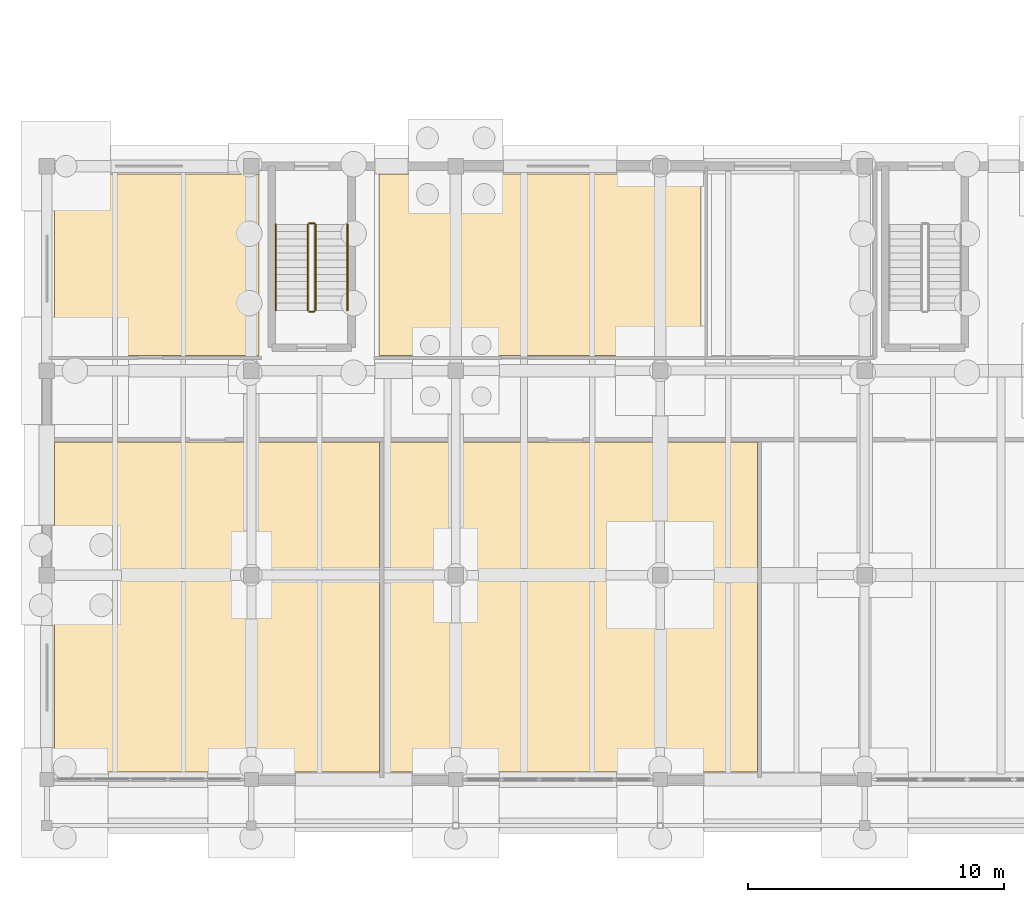
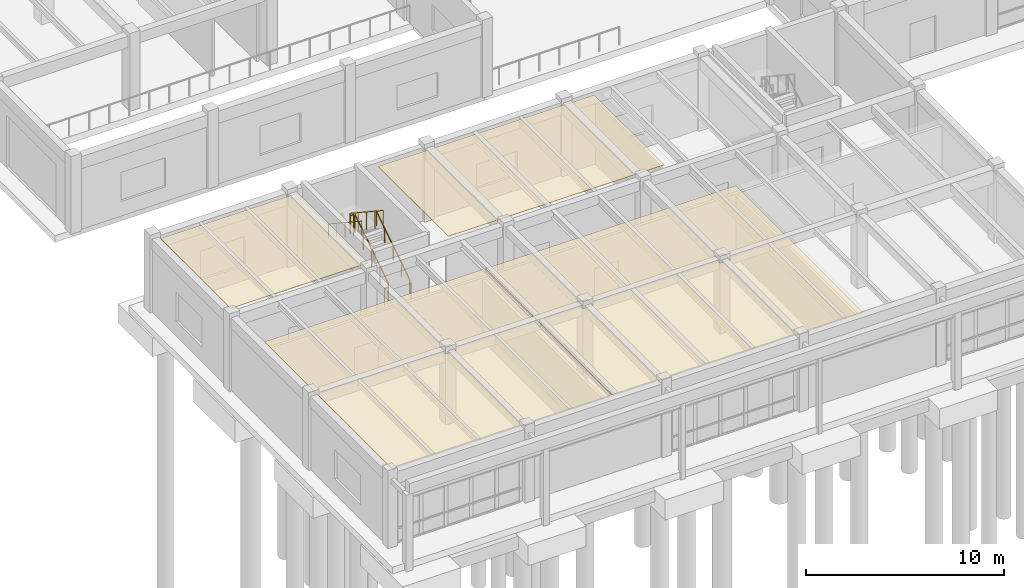
# One storey, part 47 of 64: 6 railings, 4 coverings.
"""IFC4 building model written with IfcOpenShell, lengths in metres."""

from ifc_helpers import new_model, si_unit, direction, frame, origin, origin_2d, place, context, subcontext, project, spatial, polyline, circle, outline, extrude, material, layer, layer_set, type_object, element, save


model = new_model("IFC4")

# Units and contexts
model_context = context("Model", 3, precision=1e-05, world=origin(), true_north=direction((0.0, 1.0)))
body_context = subcontext(model_context, "Body", "Model", "MODEL_VIEW")
ifc_project = project(units=[si_unit("LENGTHUNIT", "METRE"), si_unit("AREAUNIT", "SQUARE_METRE"), si_unit("VOLUMEUNIT", "CUBIC_METRE"), si_unit("PLANEANGLEUNIT", "RADIAN"), si_unit("MASSUNIT", "GRAM", prefix="KILO")], contexts=[model_context])

# Site, building, storey
site_placement = place(None, origin())
site = spatial("IfcSite", under=ifc_project, at=site_placement, CompositionType="ELEMENT")
building_placement = place(site_placement, origin())
building = spatial("IfcBuilding", under=site, at=building_placement, Name="Tlaxcora Railside Police Headquarters", CompositionType="ELEMENT")
storey_placement = place(building_placement, origin())
storey = spatial("IfcBuildingStorey", under=building, at=storey_placement, Name="L00", CompositionType="ELEMENT", Elevation=0.0)

# Coverings
ifc_material_1 = material(Name="Mineral-fibre acoustic ceiling tile")
ifc_layer = layer(ifc_material_1, 0.034912109375, Name="Mineral-fibre acoustic ceiling tile")
ifc_layer_set = layer_set([ifc_layer], Name="Mineral-fibre acoustic ceiling tile")
covering_type = type_object("IfcCoveringType", Name="Acoustic Suspended Ceiling CLG-01", PredefinedType="CEILING", material=ifc_layer_set)
covering_1_placement = place(storey_placement, frame((0.0, 0.0, 4.364990234375)))
element("IfcCovering", 1, at=covering_1_placement, inside=storey, type_object=covering_type, Name="Public Cafe and Dining Terrace Hall suspended ceiling", PredefinedType="CEILING", context=body_context, shape_type="SweptSolid", body=[
    extrude(outline(polyline([(5.5, 19.68994140625), (5.5, 12.300048828125), (18.22509765625, 12.300048828125), (18.22509765625, 25.199951171875), (5.5, 25.199951171875), (5.5, 20.31005859375), (5.510009765625, 20.31005859375), (5.510009765625, 19.68994140625), (5.5, 19.68994140625)]), holes=[polyline([(13.510009765625, 19.68994140625), (12.889892578125, 19.68994140625), (12.889892578125, 20.31005859375), (13.510009765625, 20.31005859375), (13.510009765625, 19.68994140625)])]), origin(), (0.0, 0.0, 1.0), 0.034912109375),
])
covering_2_placement = place(storey_placement, frame((0.0, 0.0, 4.364990234375)))
element("IfcCovering", 2, at=covering_2_placement, inside=storey, type_object=covering_type, Name="Media and Press Briefing Hall suspended ceiling", PredefinedType="CEILING", context=body_context, shape_type="SweptSolid", body=[
    extrude(outline(polyline([(18.385009765625, 25.199951171875), (18.385009765625, 12.300048828125), (33.0, 12.300048828125), (33.0, 25.199951171875), (18.385009765625, 25.199951171875)]), holes=[polyline([(21.510009765625, 20.31005859375), (21.510009765625, 19.68994140625), (20.889892578125, 19.68994140625), (20.889892578125, 20.31005859375), (21.510009765625, 20.31005859375)]), polyline([(29.510009765625, 19.68994140625), (28.889892578125, 19.68994140625), (28.889892578125, 20.31005859375), (29.510009765625, 20.31005859375), (29.510009765625, 19.68994140625)])]), origin(), (0.0, 0.0, 1.0), 0.034912109375),
])
covering_3_placement = place(storey_placement, frame((0.0, 0.0, 4.364990234375)))
element("IfcCovering", 3, at=covering_3_placement, inside=storey, type_object=covering_type, Name="Community Policing Consultation Suite suspended ceiling", PredefinedType="CEILING", context=body_context, shape_type="SweptSolid", body=[
    extrude(outline(polyline([(5.5, 35.68994140625), (5.5, 28.60009765625), (13.5, 28.60009765625), (13.5, 35.68994140625), (12.889892578125, 35.68994140625), (12.889892578125, 35.699951171875), (5.510009765625, 35.699951171875), (5.510009765625, 35.68994140625), (5.5, 35.68994140625)])), origin(), (0.0, 0.0, 1.0), 0.034912109375),
])
covering_4_placement = place(storey_placement, frame((0.0, 0.0, 4.364990234375)))
element("IfcCovering", 4, at=covering_4_placement, inside=storey, type_object=covering_type, Name="Victim and Family Support Suite suspended ceiling", PredefinedType="CEILING", context=body_context, shape_type="SweptSolid", body=[
    extrude(outline(polyline([(18.199951171875, 35.699951171875), (18.199951171875, 28.60009765625), (30.800048828125, 28.60009765625), (30.800048828125, 35.699951171875), (29.510009765625, 35.699951171875), (29.510009765625, 35.68994140625), (28.889892578125, 35.68994140625), (28.889892578125, 35.699951171875), (21.510009765625, 35.699951171875), (21.510009765625, 35.68994140625), (20.889892578125, 35.68994140625), (20.889892578125, 35.699951171875), (18.199951171875, 35.699951171875)])), origin(), (0.0, 0.0, 1.0), 0.034912109375),
])

# Railings
ifc_material_2 = material(Name="Steel ASTM A992 Grade 50", Category="steel")
railing_type_1 = type_object("IfcRailingType", Name="Stair Well Guard Balustrade GR-02", PredefinedType="BALUSTRADE", material=ifc_material_2)
railing_1_placement = place(storey_placement, frame((15.7099609375, 30.360107421875, 0.1845703125)))
element("IfcRailing", 5, at=railing_1_placement, inside=storey, type_object=railing_type_1, Name="L00 ST6 stair guard 1", PredefinedType="BALUSTRADE", context=body_context, shape_type="SweptSolid", body=[
    extrude(circle(Radius=0.02392578125, at=origin_2d()), frame((0.0, 0.0, 1.09619140625), z_axis=(0.0, 0.834858096282, 0.550465220583), x_axis=(-1.0, 0.0, 0.0)), (0.0, 0.0, 1.0), 4.0244140625),
    extrude(circle(Radius=0.02099609375, at=origin_2d()), origin(), (0.0, 0.0, 1.0), 1.072021484375),
    extrude(circle(Radius=0.02099609375, at=origin_2d()), frame((0.0, 0.83984375, 0.5537109375)), (0.0, 0.0, 1.0), 1.072021484375),
    extrude(circle(Radius=0.02099609375, at=origin_2d()), frame((0.0, 1.679931640625, 1.107666015625)), (0.0, 0.0, 1.0), 1.072021484375),
    extrude(circle(Radius=0.02099609375, at=origin_2d()), frame((0.0, 2.52001953125, 1.66162109375)), (0.0, 0.0, 1.0), 1.072021484375),
    extrude(circle(Radius=0.02099609375, at=origin_2d()), frame((0.0, 3.35986328125, 2.21533203125)), (0.0, 0.0, 1.0), 1.072021484375),
])
railing_2_placement = place(storey_placement, frame((15.659912109375, 33.77001953125, 2.39990234375)))
element("IfcRailing", 6, at=railing_2_placement, inside=storey, type_object=railing_type_1, Name="L00 ST6 stair guard 2", PredefinedType="BALUSTRADE", context=body_context, shape_type="SweptSolid", body=[
    extrude(circle(Radius=0.02392578125, at=origin_2d()), frame((0.0, 0.0, 1.09619140625), z_axis=(-1.0, 0.0, 0.0), x_axis=(0.0, -1.0, 0.0)), (0.0, 0.0, 1.0), 0.199951171875),
    extrude(circle(Radius=0.02099609375, at=origin_2d()), origin(), (0.0, 0.0, 1.0), 1.072021484375),
    extrude(circle(Radius=0.02099609375, at=origin_2d()), frame((-0.199951171875, 0.0, 0.0)), (0.0, 0.0, 1.0), 1.072021484375),
])
railing_3_placement = place(storey_placement, frame((15.409912109375, 33.719970703125, 2.584716796875)))
element("IfcRailing", 7, at=railing_3_placement, inside=storey, type_object=railing_type_1, Name="L00 ST6 stair guard 3", PredefinedType="BALUSTRADE", context=body_context, shape_type="SweptSolid", body=[
    extrude(circle(Radius=0.02392578125, at=origin_2d()), frame((0.0, 0.0, 1.09619140625), z_axis=(0.0, -0.834858096282, 0.550465220583), x_axis=(1.0, 0.0, 0.0)), (0.0, 0.0, 1.0), 4.0244140625),
    extrude(circle(Radius=0.02099609375, at=origin_2d()), origin(), (0.0, 0.0, 1.0), 1.072021484375),
    extrude(circle(Radius=0.02099609375, at=origin_2d()), frame((0.0, -0.83984375, 0.5537109375)), (0.0, 0.0, 1.0), 1.072021484375),
    extrude(circle(Radius=0.02099609375, at=origin_2d()), frame((0.0, -1.679931640625, 1.107666015625)), (0.0, 0.0, 1.0), 1.072021484375),
    extrude(circle(Radius=0.02099609375, at=origin_2d()), frame((0.0, -2.52001953125, 1.66162109375)), (0.0, 0.0, 1.0), 1.072021484375),
    extrude(circle(Radius=0.02099609375, at=origin_2d()), frame((0.0, -3.35986328125, 2.21533203125)), (0.0, 0.0, 1.0), 1.072021484375),
])
railing_4_placement = place(storey_placement, frame((15.659912109375, 30.31005859375, 0.0)))
element("IfcRailing", 8, at=railing_4_placement, inside=storey, type_object=railing_type_1, Name="L00 ST6 stair guard 4", PredefinedType="BALUSTRADE", context=body_context, shape_type="SweptSolid", body=[
    extrude(circle(Radius=0.02392578125, at=origin_2d()), frame((0.0, 0.0, 1.09619140625), z_axis=(-1.0, 0.0, 0.0), x_axis=(0.0, -1.0, 0.0)), (0.0, 0.0, 1.0), 0.199951171875),
    extrude(circle(Radius=0.02099609375, at=origin_2d()), origin(), (0.0, 0.0, 1.0), 1.072021484375),
    extrude(circle(Radius=0.02099609375, at=origin_2d()), frame((-0.199951171875, 0.0, 0.0)), (0.0, 0.0, 1.0), 1.072021484375),
])
railing_type_2 = type_object("IfcRailingType", Name="Stair and Ramp Handrail HR-01", PredefinedType="HANDRAIL", material=ifc_material_2)
railing_5_placement = place(storey_placement, frame((16.9599609375, 30.360107421875, 0.1845703125)))
element("IfcRailing", 9, at=railing_5_placement, inside=storey, type_object=railing_type_2, Name="L00 ST6 stair handrail 1", PredefinedType="HANDRAIL", context=body_context, shape_type="SweptSolid", body=[
    extrude(circle(Radius=0.02392578125, at=origin_2d()), frame((0.0, 0.0, 0.8759765625), z_axis=(0.0, 0.834858096282, 0.550465220583), x_axis=(-1.0, 0.0, 0.0)), (0.0, 0.0, 1.0), 4.0244140625),
    extrude(circle(Radius=0.02099609375, at=origin_2d()), origin(), (0.0, 0.0, 1.0), 0.851806640625),
    extrude(circle(Radius=0.02099609375, at=origin_2d()), frame((0.0, 0.83984375, 0.5537109375)), (0.0, 0.0, 1.0), 0.851806640625),
    extrude(circle(Radius=0.02099609375, at=origin_2d()), frame((0.0, 1.679931640625, 1.107666015625)), (0.0, 0.0, 1.0), 0.851806640625),
    extrude(circle(Radius=0.02099609375, at=origin_2d()), frame((0.0, 2.52001953125, 1.66162109375)), (0.0, 0.0, 1.0), 0.851806640625),
    extrude(circle(Radius=0.02099609375, at=origin_2d()), frame((0.0, 3.35986328125, 2.21533203125)), (0.0, 0.0, 1.0), 0.851806640625),
])
railing_6_placement = place(storey_placement, frame((14.159912109375, 33.719970703125, 2.584716796875)))
element("IfcRailing", 10, at=railing_6_placement, inside=storey, type_object=railing_type_2, Name="L00 ST6 stair handrail 2", PredefinedType="HANDRAIL", context=body_context, shape_type="SweptSolid", body=[
    extrude(circle(Radius=0.02392578125, at=origin_2d()), frame((0.0, 0.0, 0.8759765625), z_axis=(0.0, -0.834858096282, 0.550465220583), x_axis=(1.0, 0.0, 0.0)), (0.0, 0.0, 1.0), 4.0244140625),
    extrude(circle(Radius=0.02099609375, at=origin_2d()), origin(), (0.0, 0.0, 1.0), 0.851806640625),
    extrude(circle(Radius=0.02099609375, at=origin_2d()), frame((0.0, -0.83984375, 0.5537109375)), (0.0, 0.0, 1.0), 0.851806640625),
    extrude(circle(Radius=0.02099609375, at=origin_2d()), frame((0.0, -1.679931640625, 1.107666015625)), (0.0, 0.0, 1.0), 0.851806640625),
    extrude(circle(Radius=0.02099609375, at=origin_2d()), frame((0.0, -2.52001953125, 1.66162109375)), (0.0, 0.0, 1.0), 0.851806640625),
    extrude(circle(Radius=0.02099609375, at=origin_2d()), frame((0.0, -3.35986328125, 2.21533203125)), (0.0, 0.0, 1.0), 0.851806640625),
])

save(model, "model.ifc")
